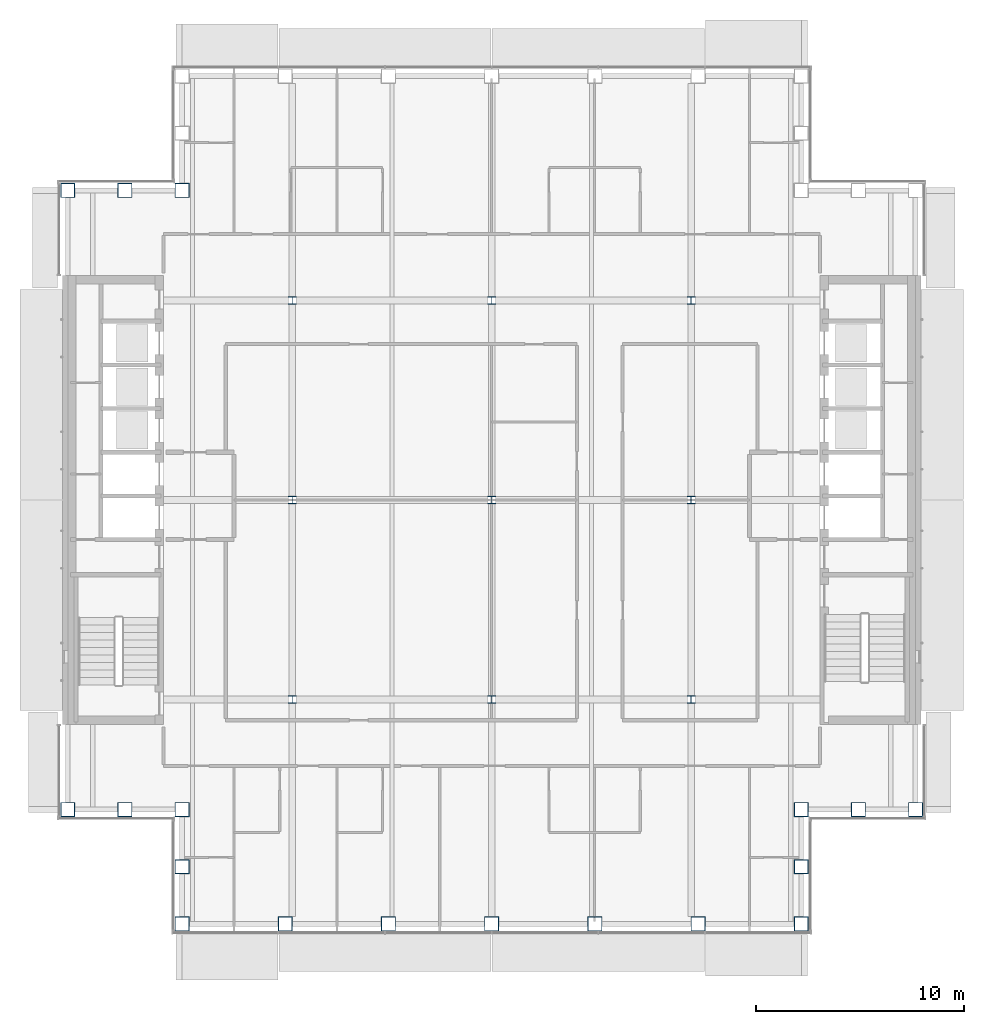
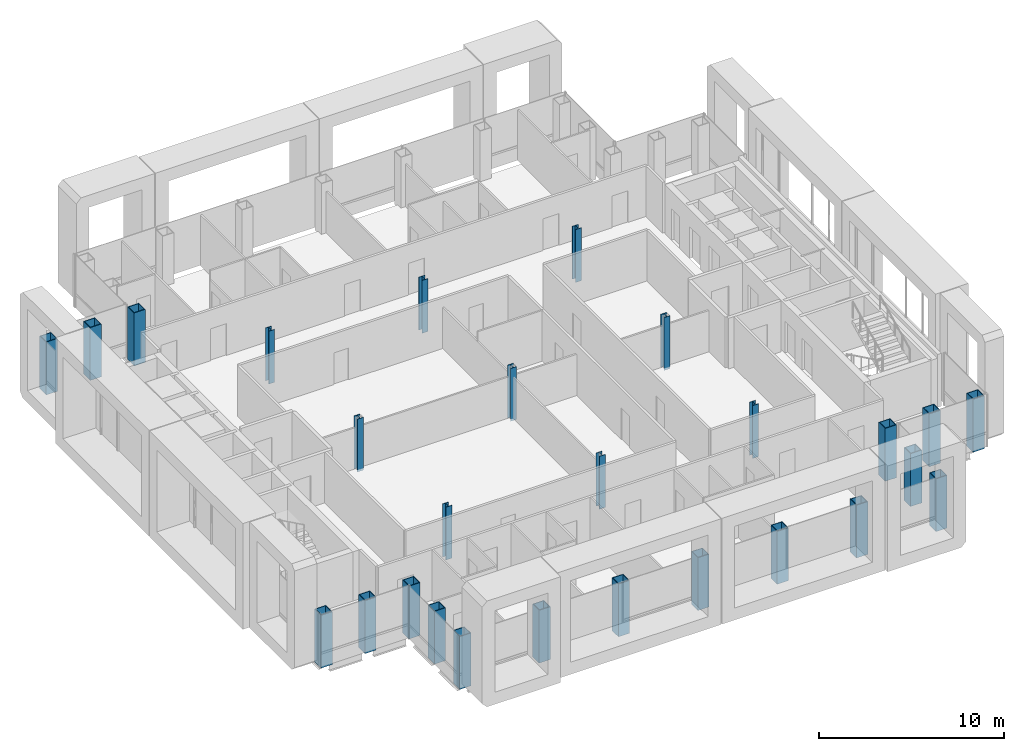
# One storey, part 1 of 19: 27 columns.
"""IFC4 building model written with IfcOpenShell, lengths in metres."""

from ifc_helpers import new_model, si_unit, direction, frame, origin, origin_2d, place, context, subcontext, project, spatial, hollow_rectangle, i_section, extrude, material, material_profile, profile_set, type_object, element, save


model = new_model("IFC4")

# Units and contexts
model_context = context("Model", 3, precision=1e-05, world=origin(), true_north=direction((0.0, 1.0)))
body_context = subcontext(model_context, "Body", "Model", "MODEL_VIEW")
ifc_project = project(units=[si_unit("LENGTHUNIT", "METRE"), si_unit("AREAUNIT", "SQUARE_METRE"), si_unit("VOLUMEUNIT", "CUBIC_METRE"), si_unit("PLANEANGLEUNIT", "RADIAN"), si_unit("MASSUNIT", "GRAM", prefix="KILO")], contexts=[model_context])

# Site, building, storey
site_placement = place(None, origin())
site = spatial("IfcSite", under=ifc_project, at=site_placement, CompositionType="ELEMENT")
building_placement = place(site_placement, origin())
building = spatial("IfcBuilding", under=site, at=building_placement, Name="Cobrizo Arcos Hotel Tower", CompositionType="ELEMENT")
storey_placement = place(building_placement, frame((0.0, 0.0, 198.0)))
storey = spatial("IfcBuildingStorey", under=building, at=storey_placement, Name="L51", CompositionType="ELEMENT", Elevation=198.0)

# Columns
ifc_material_1 = material(Name="Steel ASTM A572 Grade 50", Category="steel")
ifc_material_profile_1 = material_profile(ifc_material_1, hollow_rectangle(XDim=0.699951171875, YDim=0.699951171875, WallThickness=0.0400390625, at=origin_2d()), Name="BOX 700X700X40")
ifc_profile_set_1 = profile_set([ifc_material_profile_1], Name="Steel ASTM A572 Grade 50")
column_type_1 = type_object("IfcColumnType", Name="BOX 700X700X40 column", PredefinedType="COLUMN", material=ifc_profile_set_1)
for number, where, z_axis, x_axis, name in (
    (1, (-14.89990234375, -20.39990234375, -0.14990234375), (0.0, 0.0, 1.0), (1.0, 0.0, 0.0), "Perimeter column C10, L51, no. 01"),
    (2, (-9.93310546875, -20.39990234375, -0.14990234375), (0.0, 0.0, 1.0), (1.0, 0.0, 0.0), "Perimeter column C10, L51, no. 03"),
    (3, (-4.967041015625, -20.39990234375, -0.14990234375), (0.0, 0.0, 1.0), (1.0, 0.0, 0.0), "Perimeter column C10, L51, no. 05"),
    (4, (0.0, -20.39990234375, -0.14990234375), (0.0, 0.0, 1.0), (1.0, 0.0, 0.0), "Perimeter column C10, L51, no. 07"),
    (5, (4.967041015625, -20.39990234375, -0.14990234375), (0.0, 0.0, 1.0), (1.0, 0.0, 0.0), "Perimeter column C10, L51, no. 09"),
    (6, (9.93310546875, -20.39990234375, -0.14990234375), (0.0, 0.0, 1.0), (1.0, 0.0, 0.0), "Perimeter column C10, L51, no. 11"),
    (7, (14.89990234375, -20.39990234375, -0.14990234375), (0.0, 0.0, 1.0), (1.0, 0.0, 0.0), "Perimeter column C10, L51, no. 13"),
    (8, (20.39990234375, -14.89990234375, -0.14990234375), (0.0, 0.0, 1.0), (1.0, 0.0, 0.0), "Perimeter column C10, L51, no. 14"),
    (9, (-20.39990234375, -14.89990234375, -0.14990234375), (0.0, 0.0, 1.0), (1.0, 0.0, 0.0), "Perimeter column C10, L51, no. 15"),
    (10, (-20.39990234375, 14.89990234375, -0.14990234375), (0.0, 0.0, 1.0), (1.0, 0.0, 0.0), "Perimeter column C10, L51, no. 17"),
    (11, (-14.89990234375, -14.89990234375, -0.14990234375), (0.0, 0.0, 1.0), (1.0, 0.0, 0.0), "Perimeter column C10, L51, no. 18"),
    (12, (-14.89990234375, -17.64990234375, -0.14990234375), (0.0, 0.0, 1.0), (1.0, 0.0, 0.0), "Perimeter column C10, L51, no. 19"),
    (13, (-17.64990234375, -14.89990234375, -0.14990234375), (0.0, 0.0, 1.0), (1.0, 0.0, 0.0), "Perimeter column C10, L51, no. 20"),
    (14, (-14.89990234375, 14.89990234375, -0.14990234375), (0.0, 0.0, 1.0), (1.0, 0.0, 0.0), "Perimeter column C10, L51, no. 21"),
    (15, (-17.64990234375, 14.89990234375, -0.14990234375), (0.0, 0.0, 1.0), (1.0, 0.0, 0.0), "Perimeter column C10, L51, no. 23"),
    (16, (14.89990234375, -14.89990234375, -0.14990234375), (0.0, 0.0, 1.0), (1.0, 0.0, 0.0), "Perimeter column C10, L51, no. 24"),
    (17, (14.89990234375, -17.64990234375, -0.14990234375), (0.0, 0.0, 1.0), (1.0, 0.0, 0.0), "Perimeter column C10, L51, no. 25"),
    (18, (17.64990234375, -14.89990234375, -0.14990234375), (0.0, 0.0, 1.0), (1.0, 0.0, 0.0), "Perimeter column C10, L51, no. 26"),
):
    element("IfcColumn", number, at=place(storey_placement, frame(where, z_axis=z_axis, x_axis=x_axis)), inside=storey, type_object=column_type_1, Name=name, PredefinedType="COLUMN", context=body_context, shape_type="SweptSolid", body=[
        extrude(hollow_rectangle(XDim=0.699951171875, YDim=0.699951171875, WallThickness=0.0400390625, at=origin_2d()), origin(), (0.0, 0.0, 1.0), 3.5),
    ])
ifc_material_2 = material(Name="Steel ASTM A992 Grade 50", Category="steel")
ifc_material_profile_2 = material_profile(ifc_material_2, i_section(OverallWidth=0.373291015625, OverallDepth=0.373291015625, WebThickness=0.016357421875, FlangeThickness=0.026123046875, at=origin_2d()), Name="W14X132")
ifc_profile_set_2 = profile_set([ifc_material_profile_2], Name="Steel ASTM A992 Grade 50")
column_type_2 = type_object("IfcColumnType", Name="W14X132 interior column", PredefinedType="COLUMN", material=ifc_profile_set_2)
for number, where, z_axis, x_axis, name in (
    (19, (-9.60009765625, -9.60009765625, -0.14990234375), (0.0, 0.0, 1.0), (1.0, 0.0, 0.0), "Interior column C9, L51, no. 00"),
    (20, (-9.60009765625, 0.0, -0.14990234375), (0.0, 0.0, 1.0), (1.0, 0.0, 0.0), "Interior column C9, L51, no. 01"),
    (21, (-9.60009765625, 9.60009765625, -0.14990234375), (0.0, 0.0, 1.0), (1.0, 0.0, 0.0), "Interior column C9, L51, no. 02"),
    (22, (0.0, -9.60009765625, -0.14990234375), (0.0, 0.0, 1.0), (1.0, 0.0, 0.0), "Interior column C9, L51, no. 03"),
    (23, (0.0, 0.0, -0.14990234375), (0.0, 0.0, 1.0), (1.0, 0.0, 0.0), "Interior column C9, L51, no. 04"),
    (24, (0.0, 9.60009765625, -0.14990234375), (0.0, 0.0, 1.0), (1.0, 0.0, 0.0), "Interior column C9, L51, no. 05"),
    (25, (9.60009765625, -9.60009765625, -0.14990234375), (0.0, 0.0, 1.0), (1.0, 0.0, 0.0), "Interior column C9, L51, no. 06"),
    (26, (9.60009765625, 0.0, -0.14990234375), (0.0, 0.0, 1.0), (1.0, 0.0, 0.0), "Interior column C9, L51, no. 07"),
    (27, (9.60009765625, 9.60009765625, -0.14990234375), (0.0, 0.0, 1.0), (1.0, 0.0, 0.0), "Interior column C9, L51, no. 08"),
):
    element("IfcColumn", number, at=place(storey_placement, frame(where, z_axis=z_axis, x_axis=x_axis)), inside=storey, type_object=column_type_2, Name=name, PredefinedType="COLUMN", context=body_context, shape_type="SweptSolid", body=[
        extrude(i_section(OverallWidth=0.373291015625, OverallDepth=0.373291015625, WebThickness=0.016357421875, FlangeThickness=0.026123046875, at=origin_2d()), origin(), (0.0, 0.0, 1.0), 3.5),
    ])

save(model, "model.ifc")
